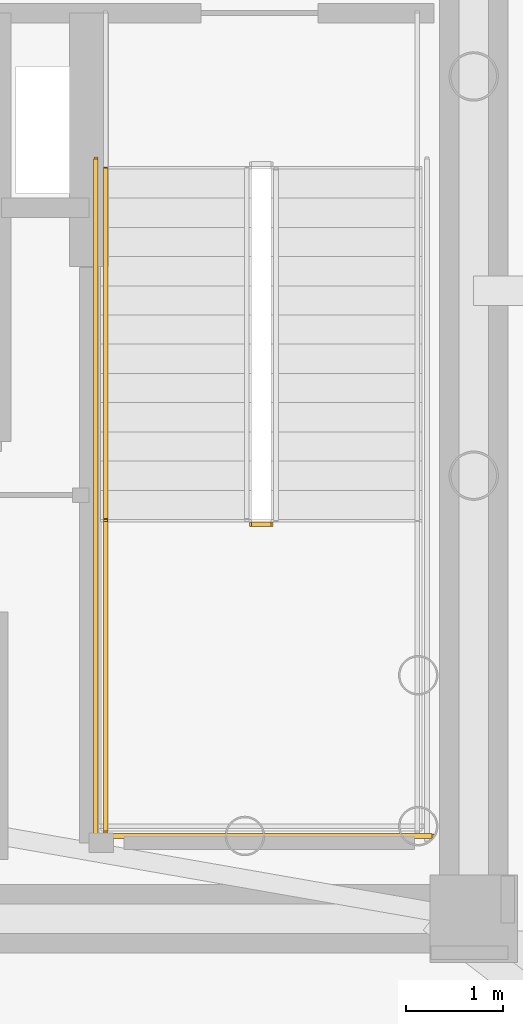
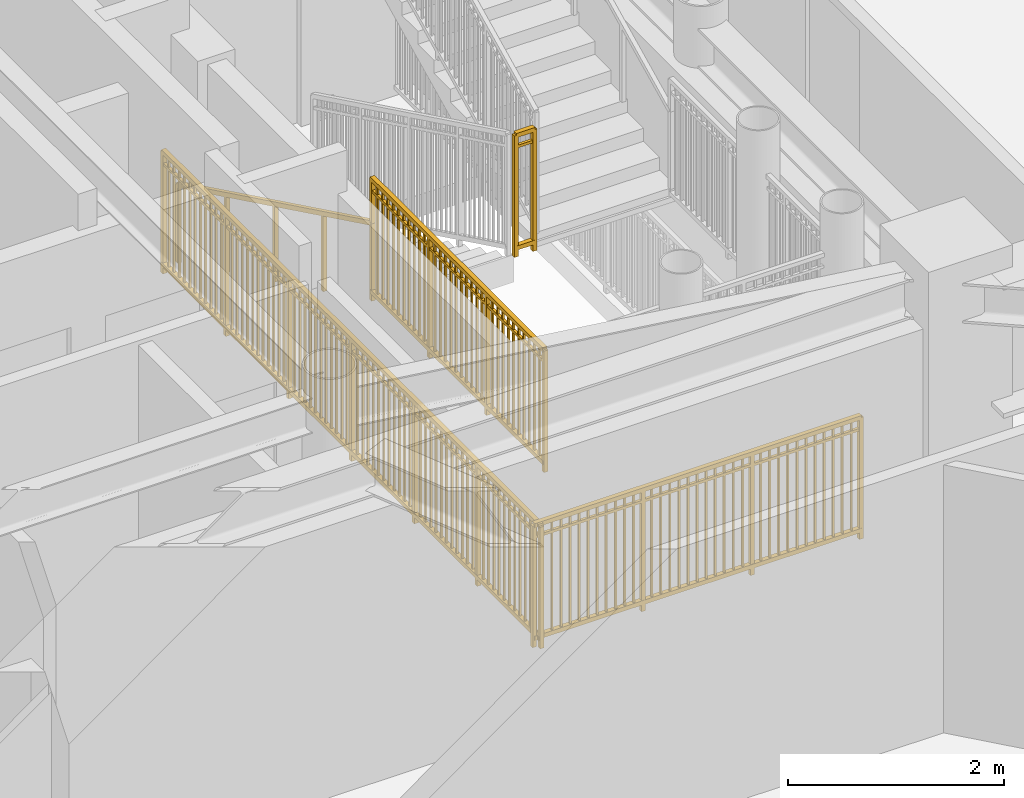
# One storey, part 14 of 19: 5 railings.
"""IFC4 building model written with IfcOpenShell, lengths in metres."""

from ifc_helpers import new_model, si_unit, direction, frame, origin, origin_2d, place, context, subcontext, project, spatial, rectangle, extrude, source, transform, mapped, material, type_object, element, save


model = new_model("IFC4")

# Units and contexts
model_context = context("Model", 3, precision=1e-05, world=origin(), true_north=direction((0.0, 1.0)))
body_context = subcontext(model_context, "Body", "Model", "MODEL_VIEW")
ifc_project = project(units=[si_unit("LENGTHUNIT", "METRE"), si_unit("AREAUNIT", "SQUARE_METRE"), si_unit("VOLUMEUNIT", "CUBIC_METRE"), si_unit("PLANEANGLEUNIT", "RADIAN"), si_unit("MASSUNIT", "GRAM", prefix="KILO")], contexts=[model_context])

# Site, building, storey
site_placement = place(None, origin())
site = spatial("IfcSite", under=ifc_project, at=site_placement, CompositionType="ELEMENT")
building_placement = place(site_placement, origin())
building = spatial("IfcBuilding", under=site, at=building_placement, Name="Linh Dai School and Residence Tower", CompositionType="ELEMENT")
storey_placement = place(building_placement, frame((0.0, 0.0, 339.199951171875)))
storey = spatial("IfcBuildingStorey", under=building, at=storey_placement, Name="L84", CompositionType="ELEMENT", Elevation=339.199951171875)

# Railings
ifc_material_1 = material(Name="Brushed Stainless Steel Handrail", Category="steel")
railing_type_1 = type_object("IfcRailingType", Name="RL-ST-HANDRAIL-900", PredefinedType="HANDRAIL", material=ifc_material_1)
shared_shape_1 = source(origin(), body_context, "Body", "SweptSolid", [
    extrude(rectangle(XDim=0.048095703125, YDim=0.048095703125, at=origin_2d()), frame((0.0, 0.0, 0.8759765625), z_axis=(0.0, -0.898988637874, 0.437971949985), x_axis=(1.0, 0.0, 0.0)), (0.0, 0.0, 1.0), 4.004638671875),
    extrude(rectangle(XDim=0.0419921875, YDim=0.0419921875, at=origin_2d()), origin(), (0.0, 0.0, 1.0), 0.8759765625),
    extrude(rectangle(XDim=0.0419921875, YDim=0.0419921875, at=origin_2d()), frame((0.0, -0.89990234375, 0.4384765625)), (0.0, 0.0, 1.0), 0.8759765625),
    extrude(rectangle(XDim=0.0419921875, YDim=0.0419921875, at=origin_2d()), frame((0.0, -1.800048828125, 0.876953125)), (0.0, 0.0, 1.0), 0.8759765625),
    extrude(rectangle(XDim=0.0419921875, YDim=0.0419921875, at=origin_2d()), frame((0.0, -2.7001953125, 1.3154296875)), (0.0, 0.0, 1.0), 0.8759765625),
    extrude(rectangle(XDim=0.0419921875, YDim=0.0419921875, at=origin_2d()), frame((0.0, -3.60009765625, 1.75390625)), (0.0, 0.0, 1.0), 0.8759765625),
])
railing_1_placement = place(storey_placement, frame((41.070068359375, 28.25, 0.146240234375)))
element("IfcRailing", 1, at=railing_1_placement, inside=storey, type_object=railing_type_1, Name="L84 ST2 stair handrail 1", PredefinedType="HANDRAIL", context=body_context, shape_type="MappedRepresentation", body=[
    mapped(shared_shape_1, transform((0.0, 0.0, 0.0), x_axis=(1.0, 0.0, 0.0), y_axis=(0.0, 1.0, 0.0), z_axis=(0.0, 0.0, 1.0), scale=1.0)),
])
ifc_material_2 = material(Name="Structural Steel S355JR", Category="steel")
railing_type_2 = type_object("IfcRailingType", Name="RL-ST-GUARD-1400", PredefinedType="GUARDRAIL", material=ifc_material_2)
shared_shape_2 = source(origin(), body_context, "Body", "SweptSolid", [
    extrude(rectangle(XDim=0.048095703125, YDim=0.048095703125, at=origin_2d()), frame((0.0, 0.0, 1.3759765625), z_axis=(1.0, 0.0, 0.0), x_axis=(0.0, 1.0, 0.0)), (0.0, 0.0, 1.0), 0.199951171875),
    extrude(rectangle(XDim=0.048095703125, YDim=0.048095703125, at=origin_2d()), frame((0.0, 0.0, 0.10009765625), z_axis=(1.0, 0.0, 0.0), x_axis=(0.0, 1.0, 0.0)), (0.0, 0.0, 1.0), 0.199951171875),
    extrude(rectangle(XDim=0.030029296875, YDim=0.030029296875, at=origin_2d()), frame((0.0, 0.0, 1.239990234375), z_axis=(1.0, 0.0, 0.0), x_axis=(0.0, 1.0, 0.0)), (0.0, 0.0, 1.0), 0.199951171875),
    extrude(rectangle(XDim=0.0419921875, YDim=0.0419921875, at=origin_2d()), origin(), (0.0, 0.0, 1.0), 1.3759765625),
    extrude(rectangle(XDim=0.0419921875, YDim=0.0419921875, at=origin_2d()), frame((0.199951171875, 0.0, 0.0)), (0.0, 0.0, 1.0), 1.3759765625),
])
railing_2_placement = place(storey_placement, frame((42.570068359375, 24.60009765625, 1.900146484375)))
element("IfcRailing", 2, at=railing_2_placement, inside=storey, type_object=railing_type_2, Name="L84 ST2 stair guard 2", PredefinedType="GUARDRAIL", context=body_context, shape_type="MappedRepresentation", body=[
    mapped(shared_shape_2, transform((0.0, 0.0, 0.0), x_axis=(1.0, 0.0, 0.0), y_axis=(0.0, 1.0, 0.0), z_axis=(0.0, 0.0, 1.0), scale=1.0)),
])
shared_shape_3 = source(origin(), body_context, "Body", "SweptSolid", [
    extrude(rectangle(XDim=0.048095703125, YDim=0.048095703125, at=origin_2d()), frame((0.0, 0.0, 1.3759765625), z_axis=(0.0, -1.0, 0.0), x_axis=(1.0, 0.0, 0.0)), (0.0, 0.0, 1.0), 7.0),
    extrude(rectangle(XDim=0.048095703125, YDim=0.048095703125, at=origin_2d()), frame((0.0, 0.0, 0.10009765625), z_axis=(0.0, -1.0, 0.0), x_axis=(1.0, 0.0, 0.0)), (0.0, 0.0, 1.0), 7.0),
    extrude(rectangle(XDim=0.030029296875, YDim=0.030029296875, at=origin_2d()), frame((0.0, 0.0, 1.239990234375), z_axis=(0.0, -1.0, 0.0), x_axis=(1.0, 0.0, 0.0)), (0.0, 0.0, 1.0), 7.0),
    extrude(rectangle(XDim=0.02001953125, YDim=0.02001953125, at=origin_2d()), frame((0.0, -0.09716796875, 0.10009765625)), (0.0, 0.0, 1.0), 1.251708984375),
    extrude(rectangle(XDim=0.02001953125, YDim=0.02001953125, at=origin_2d()), frame((0.0, -0.1943359375, 0.10009765625)), (0.0, 0.0, 1.0), 1.251708984375),
    extrude(rectangle(XDim=0.02001953125, YDim=0.02001953125, at=origin_2d()), frame((0.0, -0.291748046875, 0.10009765625)), (0.0, 0.0, 1.0), 1.251708984375),
    extrude(rectangle(XDim=0.02001953125, YDim=0.02001953125, at=origin_2d()), frame((0.0, -0.388916015625, 0.10009765625)), (0.0, 0.0, 1.0), 1.251708984375),
    extrude(rectangle(XDim=0.02001953125, YDim=0.02001953125, at=origin_2d()), frame((0.0, -0.486083984375, 0.10009765625)), (0.0, 0.0, 1.0), 1.251708984375),
    extrude(rectangle(XDim=0.02001953125, YDim=0.02001953125, at=origin_2d()), frame((0.0, -0.583251953125, 0.10009765625)), (0.0, 0.0, 1.0), 1.251708984375),
    extrude(rectangle(XDim=0.02001953125, YDim=0.02001953125, at=origin_2d()), frame((0.0, -0.6806640625, 0.10009765625)), (0.0, 0.0, 1.0), 1.251708984375),
    extrude(rectangle(XDim=0.02001953125, YDim=0.02001953125, at=origin_2d()), frame((0.0, -0.77783203125, 0.10009765625)), (0.0, 0.0, 1.0), 1.251708984375),
    extrude(rectangle(XDim=0.02001953125, YDim=0.02001953125, at=origin_2d()), frame((0.0, -0.875, 0.10009765625)), (0.0, 0.0, 1.0), 1.251708984375),
    extrude(rectangle(XDim=0.02001953125, YDim=0.02001953125, at=origin_2d()), frame((0.0, -0.97216796875, 0.10009765625)), (0.0, 0.0, 1.0), 1.251708984375),
    extrude(rectangle(XDim=0.02001953125, YDim=0.02001953125, at=origin_2d()), frame((0.0, -1.0693359375, 0.10009765625)), (0.0, 0.0, 1.0), 1.251708984375),
    extrude(rectangle(XDim=0.02001953125, YDim=0.02001953125, at=origin_2d()), frame((0.0, -1.263916015625, 0.10009765625)), (0.0, 0.0, 1.0), 1.251708984375),
    extrude(rectangle(XDim=0.02001953125, YDim=0.02001953125, at=origin_2d()), frame((0.0, -1.361083984375, 0.10009765625)), (0.0, 0.0, 1.0), 1.251708984375),
    extrude(rectangle(XDim=0.02001953125, YDim=0.02001953125, at=origin_2d()), frame((0.0, -1.458251953125, 0.10009765625)), (0.0, 0.0, 1.0), 1.251708984375),
    extrude(rectangle(XDim=0.02001953125, YDim=0.02001953125, at=origin_2d()), frame((0.0, -1.5556640625, 0.10009765625)), (0.0, 0.0, 1.0), 1.251708984375),
    extrude(rectangle(XDim=0.02001953125, YDim=0.02001953125, at=origin_2d()), frame((0.0, -1.65283203125, 0.10009765625)), (0.0, 0.0, 1.0), 1.251708984375),
    extrude(rectangle(XDim=0.02001953125, YDim=0.02001953125, at=origin_2d()), frame((0.0, -1.75, 0.10009765625)), (0.0, 0.0, 1.0), 1.251708984375),
    extrude(rectangle(XDim=0.02001953125, YDim=0.02001953125, at=origin_2d()), frame((0.0, -1.84716796875, 0.10009765625)), (0.0, 0.0, 1.0), 1.251708984375),
    extrude(rectangle(XDim=0.02001953125, YDim=0.02001953125, at=origin_2d()), frame((0.0, -1.9443359375, 0.10009765625)), (0.0, 0.0, 1.0), 1.251708984375),
    extrude(rectangle(XDim=0.02001953125, YDim=0.02001953125, at=origin_2d()), frame((0.0, -2.041748046875, 0.10009765625)), (0.0, 0.0, 1.0), 1.251708984375),
    extrude(rectangle(XDim=0.02001953125, YDim=0.02001953125, at=origin_2d()), frame((0.0, -2.138916015625, 0.10009765625)), (0.0, 0.0, 1.0), 1.251708984375),
    extrude(rectangle(XDim=0.02001953125, YDim=0.02001953125, at=origin_2d()), frame((0.0, -2.236083984375, 0.10009765625)), (0.0, 0.0, 1.0), 1.251708984375),
    extrude(rectangle(XDim=0.02001953125, YDim=0.02001953125, at=origin_2d()), frame((0.0, -2.4306640625, 0.10009765625)), (0.0, 0.0, 1.0), 1.251708984375),
    extrude(rectangle(XDim=0.02001953125, YDim=0.02001953125, at=origin_2d()), frame((0.0, -2.52783203125, 0.10009765625)), (0.0, 0.0, 1.0), 1.251708984375),
    extrude(rectangle(XDim=0.02001953125, YDim=0.02001953125, at=origin_2d()), frame((0.0, -2.625, 0.10009765625)), (0.0, 0.0, 1.0), 1.251708984375),
    extrude(rectangle(XDim=0.02001953125, YDim=0.02001953125, at=origin_2d()), frame((0.0, -2.72216796875, 0.10009765625)), (0.0, 0.0, 1.0), 1.251708984375),
    extrude(rectangle(XDim=0.02001953125, YDim=0.02001953125, at=origin_2d()), frame((0.0, -2.8193359375, 0.10009765625)), (0.0, 0.0, 1.0), 1.251708984375),
    extrude(rectangle(XDim=0.02001953125, YDim=0.02001953125, at=origin_2d()), frame((0.0, -2.916748046875, 0.10009765625)), (0.0, 0.0, 1.0), 1.251708984375),
    extrude(rectangle(XDim=0.02001953125, YDim=0.02001953125, at=origin_2d()), frame((0.0, -3.013916015625, 0.10009765625)), (0.0, 0.0, 1.0), 1.251708984375),
    extrude(rectangle(XDim=0.02001953125, YDim=0.02001953125, at=origin_2d()), frame((0.0, -3.111083984375, 0.10009765625)), (0.0, 0.0, 1.0), 1.251708984375),
    extrude(rectangle(XDim=0.02001953125, YDim=0.02001953125, at=origin_2d()), frame((0.0, -3.208251953125, 0.10009765625)), (0.0, 0.0, 1.0), 1.251708984375),
    extrude(rectangle(XDim=0.02001953125, YDim=0.02001953125, at=origin_2d()), frame((0.0, -3.3056640625, 0.10009765625)), (0.0, 0.0, 1.0), 1.251708984375),
    extrude(rectangle(XDim=0.02001953125, YDim=0.02001953125, at=origin_2d()), frame((0.0, -3.40283203125, 0.10009765625)), (0.0, 0.0, 1.0), 1.251708984375),
    extrude(rectangle(XDim=0.02001953125, YDim=0.02001953125, at=origin_2d()), frame((0.0, -3.59716796875, 0.10009765625)), (0.0, 0.0, 1.0), 1.251708984375),
    extrude(rectangle(XDim=0.02001953125, YDim=0.02001953125, at=origin_2d()), frame((0.0, -3.6943359375, 0.10009765625)), (0.0, 0.0, 1.0), 1.251708984375),
    extrude(rectangle(XDim=0.02001953125, YDim=0.02001953125, at=origin_2d()), frame((0.0, -3.791748046875, 0.10009765625)), (0.0, 0.0, 1.0), 1.251708984375),
    extrude(rectangle(XDim=0.02001953125, YDim=0.02001953125, at=origin_2d()), frame((0.0, -3.888916015625, 0.10009765625)), (0.0, 0.0, 1.0), 1.251708984375),
    extrude(rectangle(XDim=0.02001953125, YDim=0.02001953125, at=origin_2d()), frame((0.0, -3.986083984375, 0.10009765625)), (0.0, 0.0, 1.0), 1.251708984375),
    extrude(rectangle(XDim=0.02001953125, YDim=0.02001953125, at=origin_2d()), frame((0.0, -4.083251953125, 0.10009765625)), (0.0, 0.0, 1.0), 1.251708984375),
    extrude(rectangle(XDim=0.02001953125, YDim=0.02001953125, at=origin_2d()), frame((0.0, -4.1806640625, 0.10009765625)), (0.0, 0.0, 1.0), 1.251708984375),
    extrude(rectangle(XDim=0.02001953125, YDim=0.02001953125, at=origin_2d()), frame((0.0, -4.27783203125, 0.10009765625)), (0.0, 0.0, 1.0), 1.251708984375),
    extrude(rectangle(XDim=0.02001953125, YDim=0.02001953125, at=origin_2d()), frame((0.0, -4.375, 0.10009765625)), (0.0, 0.0, 1.0), 1.251708984375),
    extrude(rectangle(XDim=0.02001953125, YDim=0.02001953125, at=origin_2d()), frame((0.0, -4.47216796875, 0.10009765625)), (0.0, 0.0, 1.0), 1.251708984375),
    extrude(rectangle(XDim=0.02001953125, YDim=0.02001953125, at=origin_2d()), frame((0.0, -4.5693359375, 0.10009765625)), (0.0, 0.0, 1.0), 1.251708984375),
    extrude(rectangle(XDim=0.02001953125, YDim=0.02001953125, at=origin_2d()), frame((0.0, -4.763916015625, 0.10009765625)), (0.0, 0.0, 1.0), 1.251708984375),
    extrude(rectangle(XDim=0.02001953125, YDim=0.02001953125, at=origin_2d()), frame((0.0, -4.861083984375, 0.10009765625)), (0.0, 0.0, 1.0), 1.251708984375),
    extrude(rectangle(XDim=0.02001953125, YDim=0.02001953125, at=origin_2d()), frame((0.0, -4.958251953125, 0.10009765625)), (0.0, 0.0, 1.0), 1.251708984375),
    extrude(rectangle(XDim=0.02001953125, YDim=0.02001953125, at=origin_2d()), frame((0.0, -5.0556640625, 0.10009765625)), (0.0, 0.0, 1.0), 1.251708984375),
    extrude(rectangle(XDim=0.02001953125, YDim=0.02001953125, at=origin_2d()), frame((0.0, -5.15283203125, 0.10009765625)), (0.0, 0.0, 1.0), 1.251708984375),
    extrude(rectangle(XDim=0.02001953125, YDim=0.02001953125, at=origin_2d()), frame((0.0, -5.25, 0.10009765625)), (0.0, 0.0, 1.0), 1.251708984375),
    extrude(rectangle(XDim=0.02001953125, YDim=0.02001953125, at=origin_2d()), frame((0.0, -5.34716796875, 0.10009765625)), (0.0, 0.0, 1.0), 1.251708984375),
    extrude(rectangle(XDim=0.02001953125, YDim=0.02001953125, at=origin_2d()), frame((0.0, -5.4443359375, 0.10009765625)), (0.0, 0.0, 1.0), 1.251708984375),
    extrude(rectangle(XDim=0.02001953125, YDim=0.02001953125, at=origin_2d()), frame((0.0, -5.541748046875, 0.10009765625)), (0.0, 0.0, 1.0), 1.251708984375),
    extrude(rectangle(XDim=0.02001953125, YDim=0.02001953125, at=origin_2d()), frame((0.0, -5.638916015625, 0.10009765625)), (0.0, 0.0, 1.0), 1.251708984375),
    extrude(rectangle(XDim=0.02001953125, YDim=0.02001953125, at=origin_2d()), frame((0.0, -5.736083984375, 0.10009765625)), (0.0, 0.0, 1.0), 1.251708984375),
    extrude(rectangle(XDim=0.02001953125, YDim=0.02001953125, at=origin_2d()), frame((0.0, -5.9306640625, 0.10009765625)), (0.0, 0.0, 1.0), 1.251708984375),
    extrude(rectangle(XDim=0.02001953125, YDim=0.02001953125, at=origin_2d()), frame((0.0, -6.02783203125, 0.10009765625)), (0.0, 0.0, 1.0), 1.251708984375),
    extrude(rectangle(XDim=0.02001953125, YDim=0.02001953125, at=origin_2d()), frame((0.0, -6.125, 0.10009765625)), (0.0, 0.0, 1.0), 1.251708984375),
    extrude(rectangle(XDim=0.02001953125, YDim=0.02001953125, at=origin_2d()), frame((0.0, -6.22216796875, 0.10009765625)), (0.0, 0.0, 1.0), 1.251708984375),
    extrude(rectangle(XDim=0.02001953125, YDim=0.02001953125, at=origin_2d()), frame((0.0, -6.3193359375, 0.10009765625)), (0.0, 0.0, 1.0), 1.251708984375),
    extrude(rectangle(XDim=0.02001953125, YDim=0.02001953125, at=origin_2d()), frame((0.0, -6.416748046875, 0.10009765625)), (0.0, 0.0, 1.0), 1.251708984375),
    extrude(rectangle(XDim=0.02001953125, YDim=0.02001953125, at=origin_2d()), frame((0.0, -6.513916015625, 0.10009765625)), (0.0, 0.0, 1.0), 1.251708984375),
    extrude(rectangle(XDim=0.02001953125, YDim=0.02001953125, at=origin_2d()), frame((0.0, -6.611083984375, 0.10009765625)), (0.0, 0.0, 1.0), 1.251708984375),
    extrude(rectangle(XDim=0.02001953125, YDim=0.02001953125, at=origin_2d()), frame((0.0, -6.708251953125, 0.10009765625)), (0.0, 0.0, 1.0), 1.251708984375),
    extrude(rectangle(XDim=0.02001953125, YDim=0.02001953125, at=origin_2d()), frame((0.0, -6.8056640625, 0.10009765625)), (0.0, 0.0, 1.0), 1.251708984375),
    extrude(rectangle(XDim=0.02001953125, YDim=0.02001953125, at=origin_2d()), frame((0.0, -6.90283203125, 0.10009765625)), (0.0, 0.0, 1.0), 1.251708984375),
    extrude(rectangle(XDim=0.0419921875, YDim=0.0419921875, at=origin_2d()), origin(), (0.0, 0.0, 1.0), 1.3759765625),
    extrude(rectangle(XDim=0.0419921875, YDim=0.0419921875, at=origin_2d()), frame((0.0, -1.166748046875, 0.0)), (0.0, 0.0, 1.0), 1.3759765625),
    extrude(rectangle(XDim=0.0419921875, YDim=0.0419921875, at=origin_2d()), frame((0.0, -2.333251953125, 0.0)), (0.0, 0.0, 1.0), 1.3759765625),
    extrude(rectangle(XDim=0.0419921875, YDim=0.0419921875, at=origin_2d()), frame((0.0, -3.5, 0.0)), (0.0, 0.0, 1.0), 1.3759765625),
    extrude(rectangle(XDim=0.0419921875, YDim=0.0419921875, at=origin_2d()), frame((0.0, -4.666748046875, 0.0)), (0.0, 0.0, 1.0), 1.3759765625),
    extrude(rectangle(XDim=0.0419921875, YDim=0.0419921875, at=origin_2d()), frame((0.0, -5.833251953125, 0.0)), (0.0, 0.0, 1.0), 1.3759765625),
    extrude(rectangle(XDim=0.0419921875, YDim=0.0419921875, at=origin_2d()), frame((0.0, -7.0, 0.0)), (0.0, 0.0, 1.0), 1.3759765625),
])
railing_3_placement = place(storey_placement, frame((40.969970703125, 28.35009765625, 0.0)))
element("IfcRailing", 3, at=railing_3_placement, inside=storey, type_object=railing_type_2, Name="L84 ST2 stair guard 10", PredefinedType="GUARDRAIL", context=body_context, shape_type="MappedRepresentation", body=[
    mapped(shared_shape_3, transform((0.0, 0.0, 0.0), x_axis=(1.0, 0.0, 0.0), y_axis=(0.0, 1.0, 0.0), z_axis=(0.0, 0.0, 1.0), scale=1.0)),
])
shared_shape_4 = source(origin(), body_context, "Body", "SweptSolid", [
    extrude(rectangle(XDim=0.048095703125, YDim=0.048095703125, at=origin_2d()), frame((0.0, 0.0, 1.3759765625), z_axis=(1.0, 0.0, 0.0), x_axis=(0.0, 1.0, 0.0)), (0.0, 0.0, 1.0), 3.5),
    extrude(rectangle(XDim=0.048095703125, YDim=0.048095703125, at=origin_2d()), frame((0.0, 0.0, 0.10009765625), z_axis=(1.0, 0.0, 0.0), x_axis=(0.0, 1.0, 0.0)), (0.0, 0.0, 1.0), 3.5),
    extrude(rectangle(XDim=0.030029296875, YDim=0.030029296875, at=origin_2d()), frame((0.0, 0.0, 1.239990234375), z_axis=(1.0, 0.0, 0.0), x_axis=(0.0, 1.0, 0.0)), (0.0, 0.0, 1.0), 3.5),
    extrude(rectangle(XDim=0.02001953125, YDim=0.02001953125, at=origin_2d()), frame((0.09716796875, 0.0, 0.10009765625)), (0.0, 0.0, 1.0), 1.251708984375),
    extrude(rectangle(XDim=0.02001953125, YDim=0.02001953125, at=origin_2d()), frame((0.1943359375, 0.0, 0.10009765625)), (0.0, 0.0, 1.0), 1.251708984375),
    extrude(rectangle(XDim=0.02001953125, YDim=0.02001953125, at=origin_2d()), frame((0.291748046875, 0.0, 0.10009765625)), (0.0, 0.0, 1.0), 1.251708984375),
    extrude(rectangle(XDim=0.02001953125, YDim=0.02001953125, at=origin_2d()), frame((0.388916015625, 0.0, 0.10009765625)), (0.0, 0.0, 1.0), 1.251708984375),
    extrude(rectangle(XDim=0.02001953125, YDim=0.02001953125, at=origin_2d()), frame((0.486083984375, 0.0, 0.10009765625)), (0.0, 0.0, 1.0), 1.251708984375),
    extrude(rectangle(XDim=0.02001953125, YDim=0.02001953125, at=origin_2d()), frame((0.583251953125, 0.0, 0.10009765625)), (0.0, 0.0, 1.0), 1.251708984375),
    extrude(rectangle(XDim=0.02001953125, YDim=0.02001953125, at=origin_2d()), frame((0.6806640625, 0.0, 0.10009765625)), (0.0, 0.0, 1.0), 1.251708984375),
    extrude(rectangle(XDim=0.02001953125, YDim=0.02001953125, at=origin_2d()), frame((0.77783203125, 0.0, 0.10009765625)), (0.0, 0.0, 1.0), 1.251708984375),
    extrude(rectangle(XDim=0.02001953125, YDim=0.02001953125, at=origin_2d()), frame((0.875, 0.0, 0.10009765625)), (0.0, 0.0, 1.0), 1.251708984375),
    extrude(rectangle(XDim=0.02001953125, YDim=0.02001953125, at=origin_2d()), frame((0.97216796875, 0.0, 0.10009765625)), (0.0, 0.0, 1.0), 1.251708984375),
    extrude(rectangle(XDim=0.02001953125, YDim=0.02001953125, at=origin_2d()), frame((1.0693359375, 0.0, 0.10009765625)), (0.0, 0.0, 1.0), 1.251708984375),
    extrude(rectangle(XDim=0.02001953125, YDim=0.02001953125, at=origin_2d()), frame((1.263916015625, 0.0, 0.10009765625)), (0.0, 0.0, 1.0), 1.251708984375),
    extrude(rectangle(XDim=0.02001953125, YDim=0.02001953125, at=origin_2d()), frame((1.361083984375, 0.0, 0.10009765625)), (0.0, 0.0, 1.0), 1.251708984375),
    extrude(rectangle(XDim=0.02001953125, YDim=0.02001953125, at=origin_2d()), frame((1.458251953125, 0.0, 0.10009765625)), (0.0, 0.0, 1.0), 1.251708984375),
    extrude(rectangle(XDim=0.02001953125, YDim=0.02001953125, at=origin_2d()), frame((1.5556640625, 0.0, 0.10009765625)), (0.0, 0.0, 1.0), 1.251708984375),
    extrude(rectangle(XDim=0.02001953125, YDim=0.02001953125, at=origin_2d()), frame((1.65283203125, 0.0, 0.10009765625)), (0.0, 0.0, 1.0), 1.251708984375),
    extrude(rectangle(XDim=0.02001953125, YDim=0.02001953125, at=origin_2d()), frame((1.75, 0.0, 0.10009765625)), (0.0, 0.0, 1.0), 1.251708984375),
    extrude(rectangle(XDim=0.02001953125, YDim=0.02001953125, at=origin_2d()), frame((1.84716796875, 0.0, 0.10009765625)), (0.0, 0.0, 1.0), 1.251708984375),
    extrude(rectangle(XDim=0.02001953125, YDim=0.02001953125, at=origin_2d()), frame((1.9443359375, 0.0, 0.10009765625)), (0.0, 0.0, 1.0), 1.251708984375),
    extrude(rectangle(XDim=0.02001953125, YDim=0.02001953125, at=origin_2d()), frame((2.041748046875, 0.0, 0.10009765625)), (0.0, 0.0, 1.0), 1.251708984375),
    extrude(rectangle(XDim=0.02001953125, YDim=0.02001953125, at=origin_2d()), frame((2.138916015625, 0.0, 0.10009765625)), (0.0, 0.0, 1.0), 1.251708984375),
    extrude(rectangle(XDim=0.02001953125, YDim=0.02001953125, at=origin_2d()), frame((2.236083984375, 0.0, 0.10009765625)), (0.0, 0.0, 1.0), 1.251708984375),
    extrude(rectangle(XDim=0.02001953125, YDim=0.02001953125, at=origin_2d()), frame((2.4306640625, 0.0, 0.10009765625)), (0.0, 0.0, 1.0), 1.251708984375),
    extrude(rectangle(XDim=0.02001953125, YDim=0.02001953125, at=origin_2d()), frame((2.52783203125, 0.0, 0.10009765625)), (0.0, 0.0, 1.0), 1.251708984375),
    extrude(rectangle(XDim=0.02001953125, YDim=0.02001953125, at=origin_2d()), frame((2.625, 0.0, 0.10009765625)), (0.0, 0.0, 1.0), 1.251708984375),
    extrude(rectangle(XDim=0.02001953125, YDim=0.02001953125, at=origin_2d()), frame((2.72216796875, 0.0, 0.10009765625)), (0.0, 0.0, 1.0), 1.251708984375),
    extrude(rectangle(XDim=0.02001953125, YDim=0.02001953125, at=origin_2d()), frame((2.8193359375, 0.0, 0.10009765625)), (0.0, 0.0, 1.0), 1.251708984375),
    extrude(rectangle(XDim=0.02001953125, YDim=0.02001953125, at=origin_2d()), frame((2.916748046875, 0.0, 0.10009765625)), (0.0, 0.0, 1.0), 1.251708984375),
    extrude(rectangle(XDim=0.02001953125, YDim=0.02001953125, at=origin_2d()), frame((3.013916015625, 0.0, 0.10009765625)), (0.0, 0.0, 1.0), 1.251708984375),
    extrude(rectangle(XDim=0.02001953125, YDim=0.02001953125, at=origin_2d()), frame((3.111083984375, 0.0, 0.10009765625)), (0.0, 0.0, 1.0), 1.251708984375),
    extrude(rectangle(XDim=0.02001953125, YDim=0.02001953125, at=origin_2d()), frame((3.208251953125, 0.0, 0.10009765625)), (0.0, 0.0, 1.0), 1.251708984375),
    extrude(rectangle(XDim=0.02001953125, YDim=0.02001953125, at=origin_2d()), frame((3.3056640625, 0.0, 0.10009765625)), (0.0, 0.0, 1.0), 1.251708984375),
    extrude(rectangle(XDim=0.02001953125, YDim=0.02001953125, at=origin_2d()), frame((3.40283203125, 0.0, 0.10009765625)), (0.0, 0.0, 1.0), 1.251708984375),
    extrude(rectangle(XDim=0.0419921875, YDim=0.0419921875, at=origin_2d()), origin(), (0.0, 0.0, 1.0), 1.3759765625),
    extrude(rectangle(XDim=0.0419921875, YDim=0.0419921875, at=origin_2d()), frame((1.166748046875, 0.0, 0.0)), (0.0, 0.0, 1.0), 1.3759765625),
    extrude(rectangle(XDim=0.0419921875, YDim=0.0419921875, at=origin_2d()), frame((2.333251953125, 0.0, 0.0)), (0.0, 0.0, 1.0), 1.3759765625),
    extrude(rectangle(XDim=0.0419921875, YDim=0.0419921875, at=origin_2d()), frame((3.5, 0.0, 0.0)), (0.0, 0.0, 1.0), 1.3759765625),
])
railing_4_placement = place(storey_placement, frame((40.919921875, 21.39990234375, 0.0)))
element("IfcRailing", 4, at=railing_4_placement, inside=storey, type_object=railing_type_2, Name="L84 ST2 stair guard 12", PredefinedType="GUARDRAIL", context=body_context, shape_type="MappedRepresentation", body=[
    mapped(shared_shape_4, transform((0.0, 0.0, 0.0), x_axis=(1.0, 0.0, 0.0), y_axis=(0.0, 1.0, 0.0), z_axis=(0.0, 0.0, 1.0), scale=1.0)),
])
shared_shape_5 = source(origin(), body_context, "Body", "SweptSolid", [
    extrude(rectangle(XDim=0.048095703125, YDim=0.048095703125, at=origin_2d()), frame((0.0, 0.0, 1.3759765625), z_axis=(0.0, -1.0, 0.0), x_axis=(1.0, 0.0, 0.0)), (0.0, 0.0, 1.0), 3.199951171875),
    extrude(rectangle(XDim=0.048095703125, YDim=0.048095703125, at=origin_2d()), frame((0.0, 0.0, 0.10009765625), z_axis=(0.0, -1.0, 0.0), x_axis=(1.0, 0.0, 0.0)), (0.0, 0.0, 1.0), 3.199951171875),
    extrude(rectangle(XDim=0.030029296875, YDim=0.030029296875, at=origin_2d()), frame((0.0, 0.0, 1.239990234375), z_axis=(0.0, -1.0, 0.0), x_axis=(1.0, 0.0, 0.0)), (0.0, 0.0, 1.0), 3.199951171875),
    extrude(rectangle(XDim=0.02001953125, YDim=0.02001953125, at=origin_2d()), frame((0.0, -0.096923828125, 0.10009765625)), (0.0, 0.0, 1.0), 1.251708984375),
    extrude(rectangle(XDim=0.02001953125, YDim=0.02001953125, at=origin_2d()), frame((0.0, -0.19384765625, 0.10009765625)), (0.0, 0.0, 1.0), 1.251708984375),
    extrude(rectangle(XDim=0.02001953125, YDim=0.02001953125, at=origin_2d()), frame((0.0, -0.291015625, 0.10009765625)), (0.0, 0.0, 1.0), 1.251708984375),
    extrude(rectangle(XDim=0.02001953125, YDim=0.02001953125, at=origin_2d()), frame((0.0, -0.387939453125, 0.10009765625)), (0.0, 0.0, 1.0), 1.251708984375),
    extrude(rectangle(XDim=0.02001953125, YDim=0.02001953125, at=origin_2d()), frame((0.0, -0.48486328125, 0.10009765625)), (0.0, 0.0, 1.0), 1.251708984375),
    extrude(rectangle(XDim=0.02001953125, YDim=0.02001953125, at=origin_2d()), frame((0.0, -0.581787109375, 0.10009765625)), (0.0, 0.0, 1.0), 1.251708984375),
    extrude(rectangle(XDim=0.02001953125, YDim=0.02001953125, at=origin_2d()), frame((0.0, -0.6787109375, 0.10009765625)), (0.0, 0.0, 1.0), 1.251708984375),
    extrude(rectangle(XDim=0.02001953125, YDim=0.02001953125, at=origin_2d()), frame((0.0, -0.775634765625, 0.10009765625)), (0.0, 0.0, 1.0), 1.251708984375),
    extrude(rectangle(XDim=0.02001953125, YDim=0.02001953125, at=origin_2d()), frame((0.0, -0.872802734375, 0.10009765625)), (0.0, 0.0, 1.0), 1.251708984375),
    extrude(rectangle(XDim=0.02001953125, YDim=0.02001953125, at=origin_2d()), frame((0.0, -0.9697265625, 0.10009765625)), (0.0, 0.0, 1.0), 1.251708984375),
    extrude(rectangle(XDim=0.02001953125, YDim=0.02001953125, at=origin_2d()), frame((0.0, -1.16357421875, 0.10009765625)), (0.0, 0.0, 1.0), 1.251708984375),
    extrude(rectangle(XDim=0.02001953125, YDim=0.02001953125, at=origin_2d()), frame((0.0, -1.260498046875, 0.10009765625)), (0.0, 0.0, 1.0), 1.251708984375),
    extrude(rectangle(XDim=0.02001953125, YDim=0.02001953125, at=origin_2d()), frame((0.0, -1.357666015625, 0.10009765625)), (0.0, 0.0, 1.0), 1.251708984375),
    extrude(rectangle(XDim=0.02001953125, YDim=0.02001953125, at=origin_2d()), frame((0.0, -1.45458984375, 0.10009765625)), (0.0, 0.0, 1.0), 1.251708984375),
    extrude(rectangle(XDim=0.02001953125, YDim=0.02001953125, at=origin_2d()), frame((0.0, -1.551513671875, 0.10009765625)), (0.0, 0.0, 1.0), 1.251708984375),
    extrude(rectangle(XDim=0.02001953125, YDim=0.02001953125, at=origin_2d()), frame((0.0, -1.6484375, 0.10009765625)), (0.0, 0.0, 1.0), 1.251708984375),
    extrude(rectangle(XDim=0.02001953125, YDim=0.02001953125, at=origin_2d()), frame((0.0, -1.745361328125, 0.10009765625)), (0.0, 0.0, 1.0), 1.251708984375),
    extrude(rectangle(XDim=0.02001953125, YDim=0.02001953125, at=origin_2d()), frame((0.0, -1.84228515625, 0.10009765625)), (0.0, 0.0, 1.0), 1.251708984375),
    extrude(rectangle(XDim=0.02001953125, YDim=0.02001953125, at=origin_2d()), frame((0.0, -1.939453125, 0.10009765625)), (0.0, 0.0, 1.0), 1.251708984375),
    extrude(rectangle(XDim=0.02001953125, YDim=0.02001953125, at=origin_2d()), frame((0.0, -2.036376953125, 0.10009765625)), (0.0, 0.0, 1.0), 1.251708984375),
    extrude(rectangle(XDim=0.02001953125, YDim=0.02001953125, at=origin_2d()), frame((0.0, -2.230224609375, 0.10009765625)), (0.0, 0.0, 1.0), 1.251708984375),
    extrude(rectangle(XDim=0.02001953125, YDim=0.02001953125, at=origin_2d()), frame((0.0, -2.3271484375, 0.10009765625)), (0.0, 0.0, 1.0), 1.251708984375),
    extrude(rectangle(XDim=0.02001953125, YDim=0.02001953125, at=origin_2d()), frame((0.0, -2.42431640625, 0.10009765625)), (0.0, 0.0, 1.0), 1.251708984375),
    extrude(rectangle(XDim=0.02001953125, YDim=0.02001953125, at=origin_2d()), frame((0.0, -2.521240234375, 0.10009765625)), (0.0, 0.0, 1.0), 1.251708984375),
    extrude(rectangle(XDim=0.02001953125, YDim=0.02001953125, at=origin_2d()), frame((0.0, -2.6181640625, 0.10009765625)), (0.0, 0.0, 1.0), 1.251708984375),
    extrude(rectangle(XDim=0.02001953125, YDim=0.02001953125, at=origin_2d()), frame((0.0, -2.715087890625, 0.10009765625)), (0.0, 0.0, 1.0), 1.251708984375),
    extrude(rectangle(XDim=0.02001953125, YDim=0.02001953125, at=origin_2d()), frame((0.0, -2.81201171875, 0.10009765625)), (0.0, 0.0, 1.0), 1.251708984375),
    extrude(rectangle(XDim=0.02001953125, YDim=0.02001953125, at=origin_2d()), frame((0.0, -2.908935546875, 0.10009765625)), (0.0, 0.0, 1.0), 1.251708984375),
    extrude(rectangle(XDim=0.02001953125, YDim=0.02001953125, at=origin_2d()), frame((0.0, -3.006103515625, 0.10009765625)), (0.0, 0.0, 1.0), 1.251708984375),
    extrude(rectangle(XDim=0.02001953125, YDim=0.02001953125, at=origin_2d()), frame((0.0, -3.10302734375, 0.10009765625)), (0.0, 0.0, 1.0), 1.251708984375),
    extrude(rectangle(XDim=0.0419921875, YDim=0.0419921875, at=origin_2d()), origin(), (0.0, 0.0, 1.0), 1.3759765625),
    extrude(rectangle(XDim=0.0419921875, YDim=0.0419921875, at=origin_2d()), frame((0.0, -1.066650390625, 0.0)), (0.0, 0.0, 1.0), 1.3759765625),
    extrude(rectangle(XDim=0.0419921875, YDim=0.0419921875, at=origin_2d()), frame((0.0, -2.13330078125, 0.0)), (0.0, 0.0, 1.0), 1.3759765625),
    extrude(rectangle(XDim=0.0419921875, YDim=0.0419921875, at=origin_2d()), frame((0.0, -3.199951171875, 0.0)), (0.0, 0.0, 1.0), 1.3759765625),
])
railing_5_placement = place(storey_placement, frame((41.070068359375, 24.64990234375, 1.900146484375)))
element("IfcRailing", 5, at=railing_5_placement, inside=storey, type_object=railing_type_2, Name="L84 ST2 stair guard 3", PredefinedType="GUARDRAIL", context=body_context, shape_type="MappedRepresentation", body=[
    mapped(shared_shape_5, transform((0.0, 0.0, 0.0), x_axis=(1.0, 0.0, 0.0), y_axis=(0.0, 1.0, 0.0), z_axis=(0.0, 0.0, 1.0), scale=1.0)),
])

save(model, "model.ifc")
